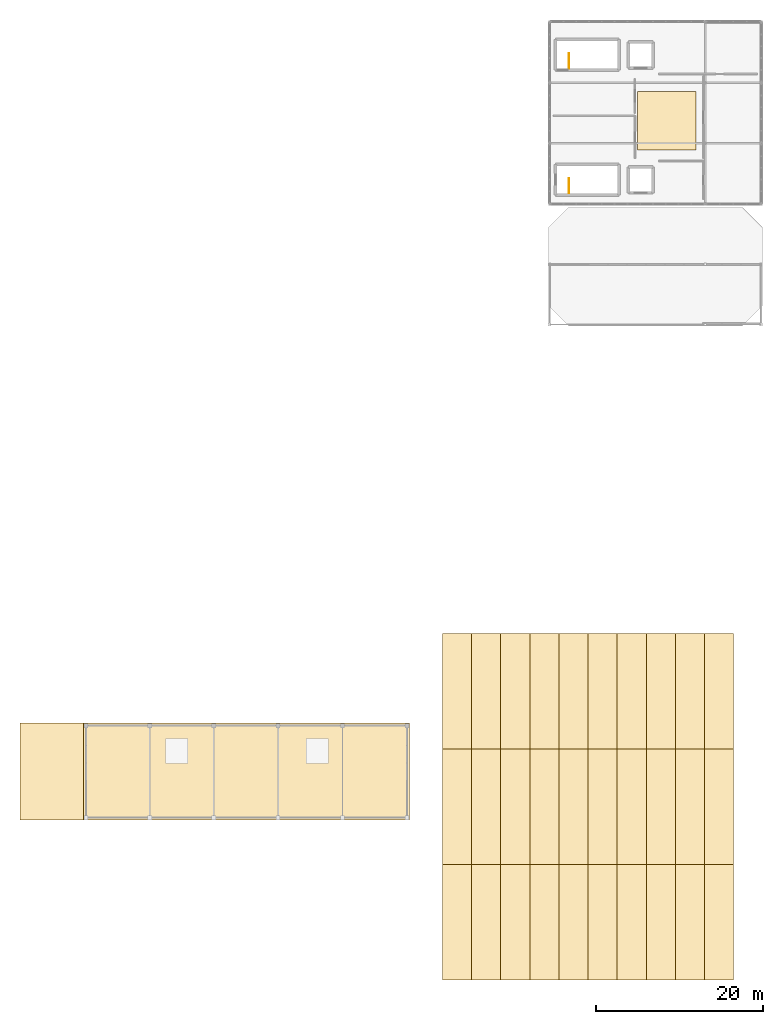
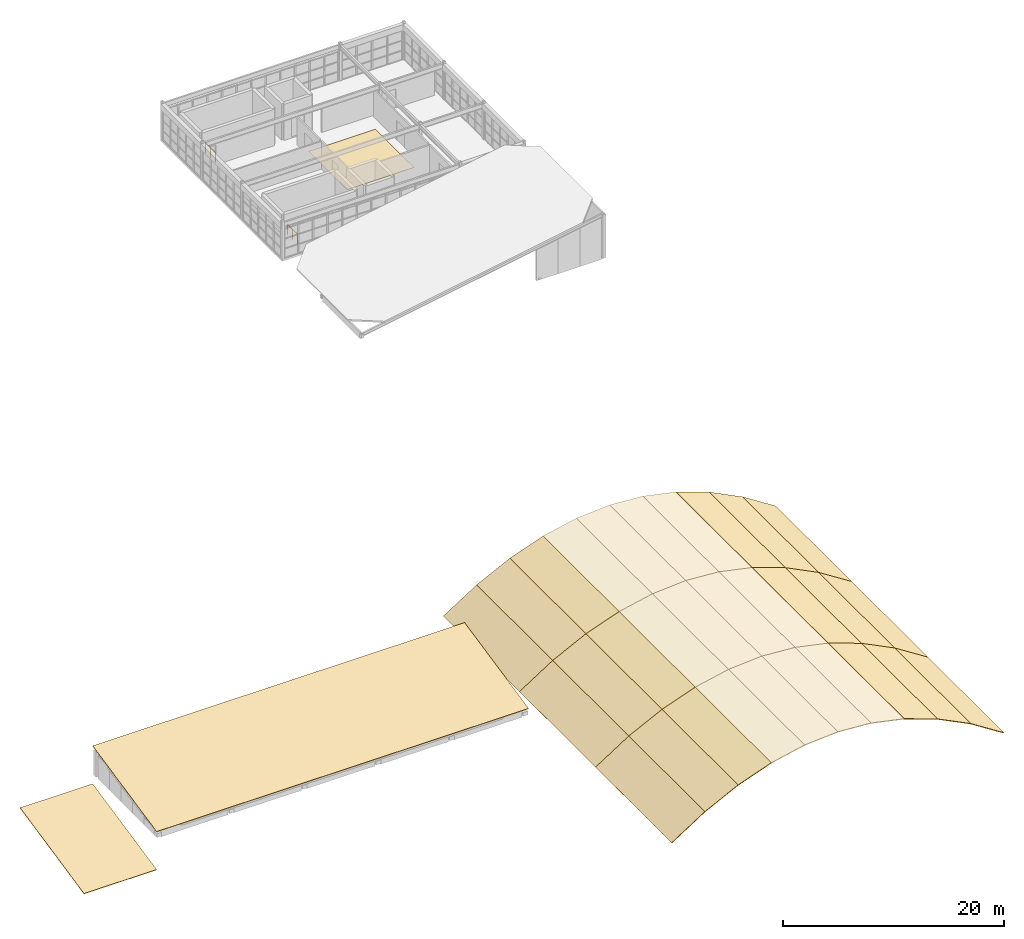
# One storey, part 19 of 19: 33 coverings, 2 railings, 2 elements without a shape of their own.
"""IFC4 building model written with IfcOpenShell, lengths in metres."""

import ifcopenshell
import ifcopenshell.guid

model = None  # the IFC model being written
_history = None  # IfcOwnerHistory: only IFC2X3 demands one
_inside = {}  # id of a spatial element -> (the spatial element, [elements in it])
_under = {}  # id of a project, library or spatial element -> (it, [spatial elements below it])
_declared = {}  # id of a project -> (the project, [libraries it declares])
_typed = {}  # id of a type object -> (the type object, [elements of that type])
_made_of = {}  # id of a material, layer set ... -> (it, [elements and type objects made of it])


def new_model(schema):
    """Start an empty IFC model of exactly this schema.

    Asked for "IFC4X3", IfcOpenShell would pick the latest addendum, in which some entities
    have other attributes; the version numbers below select the first issue.
    IFC2X3 requires an IfcOwnerHistory on every rooted entity: one is made here for all.
    """
    global model, _history
    if schema == "IFC4X3":
        model = ifcopenshell.file(schema_version=(4, 3, 0, 0))
    else:
        model = ifcopenshell.file(schema=schema)
    _inside.clear()
    _under.clear()
    _declared.clear()
    _typed.clear()
    _made_of.clear()
    _history = None
    if model.schema == "IFC2X3":
        org = make("IfcOrganization", Name="unknown")
        user = make(
            "IfcPersonAndOrganization",
            ThePerson=make("IfcPerson", FamilyName="unknown"),
            TheOrganization=org,
        )
        app = make(
            "IfcApplication",
            ApplicationDeveloper=org,
            Version="unknown",
            ApplicationFullName="unknown",
            ApplicationIdentifier="unknown",
        )
        _history = make(
            "IfcOwnerHistory",
            OwningUser=user,
            OwningApplication=app,
            ChangeAction="ADDED",
            CreationDate=0,
        )
    return model


def make(cls, **values):
    """One entity of the class cls with the attributes given. An attribute that is None is left unset."""
    return model.create_entity(
        cls, **{name: value for name, value in values.items() if value is not None}
    )


def rooted(cls, **values):
    """An entity with a GlobalId (a new one), such as an element, a storey or a relation."""
    return make(cls, GlobalId=ifcopenshell.guid.new(), OwnerHistory=_history, **values)


def si_unit(unit_type, name, prefix=None):
    """IfcSIUnit, for example si_unit("LENGTHUNIT", "METRE", prefix="MILLI")."""
    return make("IfcSIUnit", UnitType=unit_type, Prefix=prefix, Name=name)


def assignment(units):
    """IfcUnitAssignment: the units of a project."""
    return None if units is None else make("IfcUnitAssignment", Units=units)


def point(xyz):
    """IfcCartesianPoint."""
    return None if xyz is None else make("IfcCartesianPoint", Coordinates=xyz)


def direction(xyz):
    """IfcDirection."""
    return None if xyz is None else make("IfcDirection", DirectionRatios=xyz)


def frame(location, z_axis=None, x_axis=None):
    """IfcAxis2Placement3D, a coordinate frame: its origin and axes. An axis left out is left unset."""
    return make(
        "IfcAxis2Placement3D",
        Location=point(location),
        Axis=direction(z_axis),
        RefDirection=direction(x_axis),
    )


def frame_2d(location, x_axis=None):
    """IfcAxis2Placement2D, a coordinate frame in the plane: its origin and x axis."""
    return make(
        "IfcAxis2Placement2D", Location=point(location), RefDirection=direction(x_axis)
    )


def origin():
    """The frame at (0, 0, 0) with its axes left unset."""
    return frame((0.0, 0.0, 0.0))


def origin_2d():
    """The frame at (0, 0) in the plane with its x axis left unset."""
    return frame_2d((0.0, 0.0))


def place(relative_to, where):
    """IfcLocalPlacement: puts the frame where relative to a parent placement (None: the world)."""
    return make(
        "IfcLocalPlacement", PlacementRelTo=relative_to, RelativePlacement=where
    )


def context(
    kind, dimensions, precision=None, world=None, true_north=None, identifier=None
):
    """IfcGeometricRepresentationContext, for example the 3D "Model" context."""
    return make(
        "IfcGeometricRepresentationContext",
        ContextIdentifier=identifier,
        ContextType=kind,
        CoordinateSpaceDimension=dimensions,
        Precision=precision,
        WorldCoordinateSystem=world,
        TrueNorth=true_north,
    )


def subcontext(parent, identifier, kind, view, scale=None):
    """IfcGeometricRepresentationSubContext, for example "Body" below "Model"."""
    return make(
        "IfcGeometricRepresentationSubContext",
        ContextIdentifier=identifier,
        ContextType=kind,
        ParentContext=parent,
        TargetScale=scale,
        TargetView=view,
    )


def project(units=None, contexts=None):
    """IfcProject with its units and contexts."""
    return rooted(
        "IfcProject",
        Name="project",
        RepresentationContexts=contexts,
        UnitsInContext=assignment(units),
    )


def spatial(cls, under=None, at=None, **own):
    """A site, building, storey or space (cls), placed at a placement, below another one or the project."""
    s = rooted(cls, ObjectPlacement=at, **own)
    if under is not None:
        _under.setdefault(under.id(), (under, []))[1].append(s)
    return s


def polyline(points):
    """IfcPolyline through the points."""
    return make("IfcPolyline", Points=[point(p) for p in points])


def profile(cls, at=None, kind="AREA", **sizes):
    """A parametric profile (cls). Its sizes go by their IFC names, for example OverallWidth=200.0."""
    return make(cls, ProfileType=kind, Position=at, **sizes)


def rectangle(**sizes):
    """IfcRectangleProfileDef."""
    return profile("IfcRectangleProfileDef", **sizes)


def circle(**sizes):
    """IfcCircleProfileDef."""
    return profile("IfcCircleProfileDef", **sizes)


def outline(outer, holes=None, kind="AREA"):
    """IfcArbitraryClosedProfileDef: a profile drawn as a closed curve; with holes, ...WithVoids."""
    if holes is None:
        return make("IfcArbitraryClosedProfileDef", ProfileType=kind, OuterCurve=outer)
    return make(
        "IfcArbitraryProfileDefWithVoids",
        ProfileType=kind,
        OuterCurve=outer,
        InnerCurves=holes,
    )


def extrude(swept, where, along, depth):
    """IfcExtrudedAreaSolid: the profile swept, set in the frame where, extruded along a direction by depth."""
    return make(
        "IfcExtrudedAreaSolid",
        SweptArea=swept,
        Position=where,
        ExtrudedDirection=direction(along),
        Depth=depth,
    )


def shape(context_of_items, identifier, shape_type, items):
    """IfcShapeRepresentation: the items that make up one representation, for example the "Body"."""
    return make(
        "IfcShapeRepresentation",
        ContextOfItems=context_of_items,
        RepresentationIdentifier=identifier,
        RepresentationType=shape_type,
        Items=items,
    )


def material(Name=None, Category=None):
    """IfcMaterial."""
    return make("IfcMaterial", Name=Name, Category=Category)


def layer(
    of_material, thickness, ventilated=None, Name=None, Category=None, Priority=None
):
    """IfcMaterialLayer: one layer of a wall or slab, of a material (None: an air gap)."""
    return make(
        "IfcMaterialLayer",
        Material=of_material,
        LayerThickness=thickness,
        IsVentilated=ventilated,
        Name=Name,
        Category=Category,
        Priority=Priority,
    )


def layer_set(layers, Name=None):
    """IfcMaterialLayerSet."""
    return make("IfcMaterialLayerSet", MaterialLayers=layers, LayerSetName=Name)


def made_of(thing, what):
    """Note that an element or type object is made of a material, layer set ...; save() writes the relation."""
    if what is not None:
        _made_of.setdefault(what.id(), (what, []))[1].append(thing)
    return thing


def type_object(cls, material=None, **own):
    """A type object (cls), such as IfcWallType, which elements share."""
    return made_of(rooted(cls, **own), material)


def element(
    cls,
    number,
    at=None,
    inside=None,
    cuts=None,
    type_object=None,
    material=None,
    context=None,
    identifier="Body",
    shape_type=None,
    held_by="IfcProductDefinitionShape",
    body=None,
    shapes=None,
    **own,
):
    """One element of the class cls, such as IfcWall. Its Tag is "e" and its number.

    at: its placement. inside: the storey or other place that contains it. cuts: it is an
    opening in that element (IfcRelVoidsElement). A single representation is given by context,
    identifier, shape_type and body (its items); several are given by shapes. held_by: the class
    of the entity that holds the representations. save() writes the other relations.
    """
    e = rooted(cls, Tag="e%d" % number, ObjectPlacement=at, **own)
    if body is not None:
        shapes = [shape(context, identifier, shape_type, body)]
    if shapes is not None:
        e.Representation = make(held_by, Representations=shapes)
    if inside is not None:
        _inside.setdefault(inside.id(), (inside, []))[1].append(e)
    if cuts is not None:
        rooted(
            "IfcRelVoidsElement", RelatingBuildingElement=cuts, RelatedOpeningElement=e
        )
    if type_object is not None:
        _typed.setdefault(type_object.id(), (type_object, []))[1].append(e)
    return made_of(e, material)


def aggregate(whole, parts):
    """IfcRelAggregates: a whole, such as a stair, and the parts it consists of."""
    return rooted("IfcRelAggregates", RelatingObject=whole, RelatedObjects=parts)


def save(model, path):
    """Write the relations noted so far, then the file.

    IfcRelAggregates (storeys below a building ...), IfcRelContainedInSpatialStructure (elements
    in a storey), IfcRelDefinesByType, IfcRelAssociatesMaterial and IfcRelDeclares: one each for
    every whole, place, type object, material and project.
    """
    for whole, parts in _under.values():
        aggregate(whole, parts)
    for where, things in _inside.values():
        rooted(
            "IfcRelContainedInSpatialStructure",
            RelatedElements=things,
            RelatingStructure=where,
        )
    for kind, things in _typed.values():
        rooted("IfcRelDefinesByType", RelatedObjects=things, RelatingType=kind)
    for what, things in _made_of.values():
        rooted("IfcRelAssociatesMaterial", RelatedObjects=things, RelatingMaterial=what)
    for by, libraries in _declared.values():
        rooted("IfcRelDeclares", RelatingContext=by, RelatedDefinitions=libraries)
    model.write(path)


model = new_model("IFC4")

# Units and contexts
model_context = context("Model", 3, precision=1e-05, world=origin(), true_north=direction((0.0, 1.0)))
body_context = subcontext(model_context, "Body", "Model", "MODEL_VIEW")
ifc_project = project(units=[si_unit("LENGTHUNIT", "METRE"), si_unit("AREAUNIT", "SQUARE_METRE"), si_unit("VOLUMEUNIT", "CUBIC_METRE"), si_unit("PLANEANGLEUNIT", "RADIAN"), si_unit("MASSUNIT", "GRAM", prefix="KILO")], contexts=[model_context])

# Site, building, storey
site_placement = place(None, origin())
site = spatial("IfcSite", under=ifc_project, at=site_placement, CompositionType="ELEMENT")
building_placement = place(site_placement, origin())
building = spatial("IfcBuilding", under=site, at=building_placement, Name="Candilejo Ridge Gondola Terminal", CompositionType="ELEMENT")
storey_placement = place(building_placement, frame((0.0, 0.0, 22.800048828125)))
storey = spatial("IfcBuildingStorey", under=building, at=storey_placement, Name="L05", CompositionType="ELEMENT", Elevation=22.800048828125)

# Covering
ifc_material_1 = material(Name="Flamed Andean grey granite tactile paving 30 mm", Category="masonry")
ifc_layer_1 = layer(ifc_material_1, 0.030029296875)
ifc_layer_set_1 = layer_set([ifc_layer_1], Name="ARC-COV-FLOORING-GRANITE")
covering_type_1 = type_object("IfcCoveringType", Name="ARC-COV-FLOORING-GRANITE", PredefinedType="FLOORING", material=ifc_layer_set_1)
covering_1_placement = place(storey_placement, frame((164.0, 109.0, 0.0), z_axis=(0.0, 0.0, 1.0), x_axis=(1.0, 0.0, 0.0)))
element("IfcCovering", 1, at=covering_1_placement, inside=storey, type_object=covering_type_1, Name="Tactile granite flooring FLR-V5-BELV", PredefinedType="FLOORING", context=body_context, shape_type="SweptSolid", body=[
    extrude(rectangle(XDim=7.0, YDim=7.0, at=origin_2d()), origin(), (0.0, 0.0, 1.0), 0.030029296875),
])

# Roof, coverings
ifc_material_2 = material(Name="Standing-seam Al-Mg-Mn alloy roofing EN AW-3004 1.0 mm", Category="aluminum")
roof_type_1 = type_object("IfcRoofType", Name="ARC-ROOF-BARREL", PredefinedType="BARREL_ROOF", material=ifc_material_2)
roof_1_placement = place(storey_placement, origin())
roof_1 = element("IfcRoof", 2, at=roof_1_placement, inside=storey, type_object=roof_type_1, Name="Volume V4 cylindrical barrel standing-seam roof", PredefinedType="BARREL_ROOF")
ifc_material_3 = material(Name="Standing-seam Al-Mg-Mn alloy roofing EN AW-3004 1.0 mm", Category="aluminum")
ifc_layer_2 = layer(ifc_material_3, 0.06494140625)
ifc_layer_set_2 = layer_set([ifc_layer_2], Name="ARC-COV-KALZIP")
covering_type_2 = type_object("IfcCoveringType", Name="ARC-COV-KALZIP", PredefinedType="ROOFING", material=ifc_layer_set_2)
covering_2_placement = place(storey_placement, frame((137.199951171875, 6.300048828125, -3.9599609375), z_axis=(-0.539867861047, 0.0, 0.841749780284), x_axis=(0.841749780284, 0.0, 0.539867861047)))
covering_2 = element("IfcCovering", 3, at=covering_2_placement, type_object=covering_type_2, Name="Kalzip standing-seam barrel panel 01", PredefinedType="ROOFING", context=body_context, shape_type="SweptSolid", body=[
    extrude(outline(polyline([(0.0, 0.0), (4.134222010220455, 0.0), (4.134222010220455, 13.800048828125), (0.0, 13.800048828125), (0.0, 0.0)])), origin(), (0.0, 0.0, -1.0), 0.06494140625),
])
covering_3_placement = place(storey_placement, frame((140.679931640625, 6.300048828125, -1.72802734375), z_axis=(-0.446409864711, 0.0, 0.894828605202), x_axis=(0.894828605202, 0.0, 0.446409864711)))
covering_3 = element("IfcCovering", 4, at=covering_3_placement, type_object=covering_type_2, Name="Kalzip standing-seam barrel panel 02", PredefinedType="ROOFING", context=body_context, shape_type="SweptSolid", body=[
    extrude(outline(polyline([(0.0, 0.0), (3.8889910855753893, 0.0), (3.8889910855753893, 13.800048828124998), (0.0, 13.800048828124998), (0.0, 0.0)])), origin(), (0.0, 0.0, -1.0), 0.06494140625),
])
covering_4_placement = place(storey_placement, frame((144.159912109375, 6.300048828125, 0.008056640625), z_axis=(-0.335649733061, 0.0, 0.94198686652), x_axis=(0.94198686652, 0.0, 0.335649733061)))
covering_4 = element("IfcCovering", 5, at=covering_4_placement, type_object=covering_type_2, Name="Kalzip standing-seam barrel panel 03", PredefinedType="ROOFING", context=body_context, shape_type="SweptSolid", body=[
    extrude(outline(polyline([(0.0, 0.0), (3.694298288474665, 0.0), (3.694298288474665, 13.800048828125), (0.0, 13.800048828125), (0.0, 0.0)])), origin(), (0.0, 0.0, -1.0), 0.06494140625),
])
covering_5_placement = place(storey_placement, frame((147.639892578125, 6.300048828125, 1.248046875), z_axis=(-0.209027770681, 0.0, 0.977909704975), x_axis=(0.977909704975, 0.0, 0.209027770681)))
covering_5 = element("IfcCovering", 6, at=covering_5_placement, type_object=covering_type_2, Name="Kalzip standing-seam barrel panel 04", PredefinedType="ROOFING", context=body_context, shape_type="SweptSolid", body=[
    extrude(outline(polyline([(0.0, 0.0), (3.5588404447466955, 0.0), (3.5588404447466955, 13.800048828125), (0.0, 13.800048828125), (0.0, 0.0)])), origin(), (0.0, 0.0, -1.0), 0.06494140625),
])
covering_6_placement = place(storey_placement, frame((151.1201171875, 6.300048828125, 1.991943359375), z_axis=(-0.071097857077, 0.0, 0.997469345253), x_axis=(0.997469345253, 0.0, 0.071097857077)))
covering_6 = element("IfcCovering", 7, at=covering_6_placement, type_object=covering_type_2, Name="Kalzip standing-seam barrel panel 05", PredefinedType="ROOFING", context=body_context, shape_type="SweptSolid", body=[
    extrude(outline(polyline([(0.0, 0.0), (3.4888094409237564, 0.0), (3.4888094409237564, 13.800048828125), (0.0, 13.800048828125), (0.0, 0.0)])), origin(), (0.0, 0.0, -1.0), 0.06494140625),
])
covering_7_placement = place(storey_placement, frame((154.60009765625, 6.300048828125, 2.239990234375), z_axis=(0.071097857077, 0.0, 0.997469345253), x_axis=(0.997469345253, 0.0, -0.071097857077)))
covering_7 = element("IfcCovering", 8, at=covering_7_placement, type_object=covering_type_2, Name="Kalzip standing-seam barrel panel 06", PredefinedType="ROOFING", context=body_context, shape_type="SweptSolid", body=[
    extrude(outline(polyline([(0.0, 0.0), (3.4888094409237564, 0.0), (3.4888094409237564, 13.800048828125), (0.0, 13.800048828125), (0.0, 0.0)])), origin(), (0.0, 0.0, -1.0), 0.06494140625),
])
covering_8_placement = place(storey_placement, frame((158.080078125, 6.300048828125, 1.991943359375), z_axis=(0.209041794385, 0.0, 0.977906707309), x_axis=(0.977906707309, 0.0, -0.209041794385)))
covering_8 = element("IfcCovering", 9, at=covering_8_placement, type_object=covering_type_2, Name="Kalzip standing-seam barrel panel 07", PredefinedType="ROOFING", context=body_context, shape_type="SweptSolid", body=[
    extrude(outline(polyline([(0.0, 0.0), (3.558601697626043, 0.0), (3.558601697626043, 13.800048828125004), (0.0, 13.800048828125004), (0.0, 0.0)])), origin(), (0.0, 0.0, -1.0), 0.06494140625),
])
covering_9_placement = place(storey_placement, frame((161.56005859375, 6.300048828125, 1.248046875), z_axis=(0.335649733061, 0.0, 0.94198686652), x_axis=(0.94198686652, 0.0, -0.335649733061)))
covering_9 = element("IfcCovering", 10, at=covering_9_placement, type_object=covering_type_2, Name="Kalzip standing-seam barrel panel 08", PredefinedType="ROOFING", context=body_context, shape_type="SweptSolid", body=[
    extrude(outline(polyline([(0.0, 0.0), (3.694298288474665, 0.0), (3.694298288474665, 13.800048828125), (0.0, 13.800048828125), (0.0, 0.0)])), origin(), (0.0, 0.0, -1.0), 0.06494140625),
])
covering_10_placement = place(storey_placement, frame((165.0400390625, 6.300048828125, 0.008056640625), z_axis=(0.446409864711, 0.0, 0.894828605202), x_axis=(0.894828605202, 0.0, -0.446409864711)))
covering_10 = element("IfcCovering", 11, at=covering_10_placement, type_object=covering_type_2, Name="Kalzip standing-seam barrel panel 09", PredefinedType="ROOFING", context=body_context, shape_type="SweptSolid", body=[
    extrude(outline(polyline([(0.0, 0.0), (3.8889910855753893, 0.0), (3.8889910855753893, 13.800048828124998), (0.0, 13.800048828124998), (0.0, 0.0)])), origin(), (0.0, 0.0, -1.0), 0.06494140625),
])
covering_11_placement = place(storey_placement, frame((168.52001953125, 6.300048828125, -1.72802734375), z_axis=(0.539867861047, 0.0, 0.841749780284), x_axis=(0.841749780284, 0.0, -0.539867861047)))
covering_11 = element("IfcCovering", 12, at=covering_11_placement, type_object=covering_type_2, Name="Kalzip standing-seam barrel panel 10", PredefinedType="ROOFING", context=body_context, shape_type="SweptSolid", body=[
    extrude(outline(polyline([(0.0, 0.0), (4.134222010220455, 0.0), (4.134222010220455, 13.800048828125), (0.0, 13.800048828125), (0.0, 0.0)])), origin(), (0.0, 0.0, -1.0), 0.06494140625),
])
covering_12_placement = place(storey_placement, frame((137.199951171875, 20.10009765625, -3.9599609375), z_axis=(-0.539867861047, 0.0, 0.841749780284), x_axis=(0.841749780284, 0.0, 0.539867861047)))
covering_12 = element("IfcCovering", 13, at=covering_12_placement, type_object=covering_type_2, Name="Kalzip standing-seam barrel panel 11", PredefinedType="ROOFING", context=body_context, shape_type="SweptSolid", body=[
    extrude(outline(polyline([(0.0, 0.0), (4.134222010220455, 0.0), (4.134222010220455, 13.7998046875), (0.0, 13.7998046875), (0.0, 0.0)])), origin(), (0.0, 0.0, -1.0), 0.06494140625),
])
covering_13_placement = place(storey_placement, frame((140.679931640625, 20.10009765625, -1.72802734375), z_axis=(-0.446409864711, 0.0, 0.894828605202), x_axis=(0.894828605202, 0.0, 0.446409864711)))
covering_13 = element("IfcCovering", 14, at=covering_13_placement, type_object=covering_type_2, Name="Kalzip standing-seam barrel panel 12", PredefinedType="ROOFING", context=body_context, shape_type="SweptSolid", body=[
    extrude(outline(polyline([(0.0, 0.0), (3.8889910855753893, 0.0), (3.8889910855753893, 13.7998046875), (0.0, 13.7998046875), (0.0, 0.0)])), origin(), (0.0, 0.0, -1.0), 0.06494140625),
])
covering_14_placement = place(storey_placement, frame((144.159912109375, 20.10009765625, 0.008056640625), z_axis=(-0.335649733061, 0.0, 0.94198686652), x_axis=(0.94198686652, 0.0, 0.335649733061)))
covering_14 = element("IfcCovering", 15, at=covering_14_placement, type_object=covering_type_2, Name="Kalzip standing-seam barrel panel 13", PredefinedType="ROOFING", context=body_context, shape_type="SweptSolid", body=[
    extrude(outline(polyline([(0.0, 0.0), (3.694298288474665, 0.0), (3.694298288474665, 13.7998046875), (0.0, 13.7998046875), (0.0, 0.0)])), origin(), (0.0, 0.0, -1.0), 0.06494140625),
])
covering_15_placement = place(storey_placement, frame((147.639892578125, 20.10009765625, 1.248046875), z_axis=(-0.209027770681, 0.0, 0.977909704975), x_axis=(0.977909704975, 0.0, 0.209027770681)))
covering_15 = element("IfcCovering", 16, at=covering_15_placement, type_object=covering_type_2, Name="Kalzip standing-seam barrel panel 14", PredefinedType="ROOFING", context=body_context, shape_type="SweptSolid", body=[
    extrude(outline(polyline([(0.0, 0.0), (3.5588404447466955, 0.0), (3.5588404447466955, 13.7998046875), (0.0, 13.7998046875), (0.0, 0.0)])), origin(), (0.0, 0.0, -1.0), 0.06494140625),
])
covering_16_placement = place(storey_placement, frame((151.1201171875, 20.10009765625, 1.991943359375), z_axis=(-0.071097857077, 0.0, 0.997469345253), x_axis=(0.997469345253, 0.0, 0.071097857077)))
covering_16 = element("IfcCovering", 17, at=covering_16_placement, type_object=covering_type_2, Name="Kalzip standing-seam barrel panel 15", PredefinedType="ROOFING", context=body_context, shape_type="SweptSolid", body=[
    extrude(outline(polyline([(0.0, 0.0), (3.4888094409237564, 0.0), (3.4888094409237564, 13.7998046875), (0.0, 13.7998046875), (0.0, 0.0)])), origin(), (0.0, 0.0, -1.0), 0.06494140625),
])
covering_17_placement = place(storey_placement, frame((154.60009765625, 20.10009765625, 2.239990234375), z_axis=(0.071097857077, 0.0, 0.997469345253), x_axis=(0.997469345253, 0.0, -0.071097857077)))
covering_17 = element("IfcCovering", 18, at=covering_17_placement, type_object=covering_type_2, Name="Kalzip standing-seam barrel panel 16", PredefinedType="ROOFING", context=body_context, shape_type="SweptSolid", body=[
    extrude(outline(polyline([(0.0, 0.0), (3.4888094409237564, 0.0), (3.4888094409237564, 13.7998046875), (0.0, 13.7998046875), (0.0, 0.0)])), origin(), (0.0, 0.0, -1.0), 0.06494140625),
])
covering_18_placement = place(storey_placement, frame((158.080078125, 20.10009765625, 1.991943359375), z_axis=(0.209041794385, 0.0, 0.977906707309), x_axis=(0.977906707309, 0.0, -0.209041794385)))
covering_18 = element("IfcCovering", 19, at=covering_18_placement, type_object=covering_type_2, Name="Kalzip standing-seam barrel panel 17", PredefinedType="ROOFING", context=body_context, shape_type="SweptSolid", body=[
    extrude(outline(polyline([(0.0, 0.0), (3.558601697626043, 0.0), (3.558601697626043, 13.7998046875), (0.0, 13.7998046875), (0.0, 0.0)])), origin(), (0.0, 0.0, -1.0), 0.06494140625),
])
covering_19_placement = place(storey_placement, frame((161.56005859375, 20.10009765625, 1.248046875), z_axis=(0.335649733061, 0.0, 0.94198686652), x_axis=(0.94198686652, 0.0, -0.335649733061)))
covering_19 = element("IfcCovering", 20, at=covering_19_placement, type_object=covering_type_2, Name="Kalzip standing-seam barrel panel 18", PredefinedType="ROOFING", context=body_context, shape_type="SweptSolid", body=[
    extrude(outline(polyline([(0.0, 0.0), (3.694298288474665, 0.0), (3.694298288474665, 13.7998046875), (0.0, 13.7998046875), (0.0, 0.0)])), origin(), (0.0, 0.0, -1.0), 0.06494140625),
])
covering_20_placement = place(storey_placement, frame((165.0400390625, 20.10009765625, 0.008056640625), z_axis=(0.446409864711, 0.0, 0.894828605202), x_axis=(0.894828605202, 0.0, -0.446409864711)))
covering_20 = element("IfcCovering", 21, at=covering_20_placement, type_object=covering_type_2, Name="Kalzip standing-seam barrel panel 19", PredefinedType="ROOFING", context=body_context, shape_type="SweptSolid", body=[
    extrude(outline(polyline([(0.0, 0.0), (3.8889910855753893, 0.0), (3.8889910855753893, 13.7998046875), (0.0, 13.7998046875), (0.0, 0.0)])), origin(), (0.0, 0.0, -1.0), 0.06494140625),
])
covering_21_placement = place(storey_placement, frame((168.52001953125, 20.10009765625, -1.72802734375), z_axis=(0.539867861047, 0.0, 0.841749780284), x_axis=(0.841749780284, 0.0, -0.539867861047)))
covering_21 = element("IfcCovering", 22, at=covering_21_placement, type_object=covering_type_2, Name="Kalzip standing-seam barrel panel 20", PredefinedType="ROOFING", context=body_context, shape_type="SweptSolid", body=[
    extrude(outline(polyline([(0.0, 0.0), (4.134222010220455, 0.0), (4.134222010220455, 13.7998046875), (0.0, 13.7998046875), (0.0, 0.0)])), origin(), (0.0, 0.0, -1.0), 0.06494140625),
])
covering_22_placement = place(storey_placement, frame((137.199951171875, 33.89990234375, -3.9599609375), z_axis=(-0.539867861047, 0.0, 0.841749780284), x_axis=(0.841749780284, 0.0, 0.539867861047)))
covering_22 = element("IfcCovering", 23, at=covering_22_placement, type_object=covering_type_2, Name="Kalzip standing-seam barrel panel 21", PredefinedType="ROOFING", context=body_context, shape_type="SweptSolid", body=[
    extrude(outline(polyline([(0.0, 0.0), (4.134222010220455, 0.0), (4.134222010220455, 13.800048828125), (0.0, 13.800048828125), (0.0, 0.0)])), origin(), (0.0, 0.0, -1.0), 0.06494140625),
])
covering_23_placement = place(storey_placement, frame((140.679931640625, 33.89990234375, -1.72802734375), z_axis=(-0.446409864711, 0.0, 0.894828605202), x_axis=(0.894828605202, 0.0, 0.446409864711)))
covering_23 = element("IfcCovering", 24, at=covering_23_placement, type_object=covering_type_2, Name="Kalzip standing-seam barrel panel 22", PredefinedType="ROOFING", context=body_context, shape_type="SweptSolid", body=[
    extrude(outline(polyline([(0.0, 0.0), (3.8889910855753893, 0.0), (3.8889910855753893, 13.800048828124998), (0.0, 13.800048828124998), (0.0, 0.0)])), origin(), (0.0, 0.0, -1.0), 0.06494140625),
])
covering_24_placement = place(storey_placement, frame((144.159912109375, 33.89990234375, 0.008056640625), z_axis=(-0.335649733061, 0.0, 0.94198686652), x_axis=(0.94198686652, 0.0, 0.335649733061)))
covering_24 = element("IfcCovering", 25, at=covering_24_placement, type_object=covering_type_2, Name="Kalzip standing-seam barrel panel 23", PredefinedType="ROOFING", context=body_context, shape_type="SweptSolid", body=[
    extrude(outline(polyline([(0.0, 0.0), (3.694298288474665, 0.0), (3.694298288474665, 13.800048828125), (0.0, 13.800048828125), (0.0, 0.0)])), origin(), (0.0, 0.0, -1.0), 0.06494140625),
])
covering_25_placement = place(storey_placement, frame((147.639892578125, 33.89990234375, 1.248046875), z_axis=(-0.209027770681, 0.0, 0.977909704975), x_axis=(0.977909704975, 0.0, 0.209027770681)))
covering_25 = element("IfcCovering", 26, at=covering_25_placement, type_object=covering_type_2, Name="Kalzip standing-seam barrel panel 24", PredefinedType="ROOFING", context=body_context, shape_type="SweptSolid", body=[
    extrude(outline(polyline([(0.0, 0.0), (3.5588404447466955, 0.0), (3.5588404447466955, 13.800048828125), (0.0, 13.800048828125), (0.0, 0.0)])), origin(), (0.0, 0.0, -1.0), 0.06494140625),
])
covering_26_placement = place(storey_placement, frame((151.1201171875, 33.89990234375, 1.991943359375), z_axis=(-0.071097857077, 0.0, 0.997469345253), x_axis=(0.997469345253, 0.0, 0.071097857077)))
covering_26 = element("IfcCovering", 27, at=covering_26_placement, type_object=covering_type_2, Name="Kalzip standing-seam barrel panel 25", PredefinedType="ROOFING", context=body_context, shape_type="SweptSolid", body=[
    extrude(outline(polyline([(0.0, 0.0), (3.4888094409237564, 0.0), (3.4888094409237564, 13.800048828125), (0.0, 13.800048828125), (0.0, 0.0)])), origin(), (0.0, 0.0, -1.0), 0.06494140625),
])
covering_27_placement = place(storey_placement, frame((154.60009765625, 33.89990234375, 2.239990234375), z_axis=(0.071097857077, 0.0, 0.997469345253), x_axis=(0.997469345253, 0.0, -0.071097857077)))
covering_27 = element("IfcCovering", 28, at=covering_27_placement, type_object=covering_type_2, Name="Kalzip standing-seam barrel panel 26", PredefinedType="ROOFING", context=body_context, shape_type="SweptSolid", body=[
    extrude(outline(polyline([(0.0, 0.0), (3.4888094409237564, 0.0), (3.4888094409237564, 13.800048828125), (0.0, 13.800048828125), (0.0, 0.0)])), origin(), (0.0, 0.0, -1.0), 0.06494140625),
])
covering_28_placement = place(storey_placement, frame((158.080078125, 33.89990234375, 1.991943359375), z_axis=(0.209041794385, 0.0, 0.977906707309), x_axis=(0.977906707309, 0.0, -0.209041794385)))
covering_28 = element("IfcCovering", 29, at=covering_28_placement, type_object=covering_type_2, Name="Kalzip standing-seam barrel panel 27", PredefinedType="ROOFING", context=body_context, shape_type="SweptSolid", body=[
    extrude(outline(polyline([(0.0, 0.0), (3.558601697626043, 0.0), (3.558601697626043, 13.800048828125004), (0.0, 13.800048828125004), (0.0, 0.0)])), origin(), (0.0, 0.0, -1.0), 0.06494140625),
])
covering_29_placement = place(storey_placement, frame((161.56005859375, 33.89990234375, 1.248046875), z_axis=(0.335649733061, 0.0, 0.94198686652), x_axis=(0.94198686652, 0.0, -0.335649733061)))
covering_29 = element("IfcCovering", 30, at=covering_29_placement, type_object=covering_type_2, Name="Kalzip standing-seam barrel panel 28", PredefinedType="ROOFING", context=body_context, shape_type="SweptSolid", body=[
    extrude(outline(polyline([(0.0, 0.0), (3.694298288474665, 0.0), (3.694298288474665, 13.800048828125), (0.0, 13.800048828125), (0.0, 0.0)])), origin(), (0.0, 0.0, -1.0), 0.06494140625),
])
covering_30_placement = place(storey_placement, frame((165.0400390625, 33.89990234375, 0.008056640625), z_axis=(0.446409864711, 0.0, 0.894828605202), x_axis=(0.894828605202, 0.0, -0.446409864711)))
covering_30 = element("IfcCovering", 31, at=covering_30_placement, type_object=covering_type_2, Name="Kalzip standing-seam barrel panel 29", PredefinedType="ROOFING", context=body_context, shape_type="SweptSolid", body=[
    extrude(outline(polyline([(0.0, 0.0), (3.8889910855753893, 0.0), (3.8889910855753893, 13.800048828124998), (0.0, 13.800048828124998), (0.0, 0.0)])), origin(), (0.0, 0.0, -1.0), 0.06494140625),
])
covering_31_placement = place(storey_placement, frame((168.52001953125, 33.89990234375, -1.72802734375), z_axis=(0.539867861047, 0.0, 0.841749780284), x_axis=(0.841749780284, 0.0, -0.539867861047)))
covering_31 = element("IfcCovering", 32, at=covering_31_placement, type_object=covering_type_2, Name="Kalzip standing-seam barrel panel 30", PredefinedType="ROOFING", context=body_context, shape_type="SweptSolid", body=[
    extrude(outline(polyline([(0.0, 0.0), (4.134222010220455, 0.0), (4.134222010220455, 13.800048828125), (0.0, 13.800048828125), (0.0, 0.0)])), origin(), (0.0, 0.0, -1.0), 0.06494140625),
])
aggregate(roof_1, [covering_2, covering_3, covering_4, covering_5, covering_6, covering_7, covering_8, covering_9, covering_10, covering_11, covering_12, covering_13, covering_14, covering_15, covering_16, covering_17, covering_18, covering_19, covering_20, covering_21, covering_22, covering_23, covering_24, covering_25, covering_26, covering_27, covering_28, covering_29, covering_30, covering_31])

roof_type_2 = type_object("IfcRoofType", Name="ARC-ROOF-SHED", PredefinedType="SHED_ROOF", material=ifc_material_2)
roof_2_placement = place(storey_placement, origin())
roof_2 = element("IfcRoof", 33, at=roof_2_placement, inside=storey, type_object=roof_type_2, Name="Standing-seam shed roof ROOF-SHED-V3", PredefinedType="SHED_ROOF")
placement = place(building_placement, frame((0.0, 0.0, 18.60009765625)))
covering_32_placement = place(placement, frame((86.699951171875, 25.39990234375, 0.71484375), z_axis=(0.0, -0.207923263103, 0.978145140897), x_axis=(1.0, 0.0, 0.0)))
covering_32 = element("IfcCovering", 34, at=covering_32_placement, type_object=covering_type_2, Name="Kalzip standing-seam roof sheet RF-V3-STEP", PredefinedType="ROOFING", context=body_context, shape_type="SweptSolid", body=[
    extrude(outline(polyline([(0.0, 0.0), (7.60009765625, 0.0), (7.60009765625, 11.859280561993394), (0.0, 11.859280561993394), (0.0, 0.0)])), origin(), (0.0, 0.0, -1.0), 0.06494140625),
])
covering_33_placement = place(storey_placement, frame((94.300048828125, 25.39990234375, 0.71484375), z_axis=(0.0, -0.207923263103, 0.978145140897), x_axis=(1.0, 0.0, 0.0)))
covering_33 = element("IfcCovering", 35, at=covering_33_placement, type_object=covering_type_2, Name="Kalzip standing-seam roof sheet RF-V3-MAIN", PredefinedType="ROOFING", context=body_context, shape_type="SweptSolid", body=[
    extrude(outline(polyline([(0.0, 0.0), (38.949951171875, 0.0), (38.949951171875, 11.859280561993394), (0.0, 11.859280561993394), (0.0, 0.0)])), origin(), (0.0, 0.0, -1.0), 0.06494140625),
])
aggregate(roof_2, [covering_32, covering_33])

# Railings
ifc_material_4 = material(Name="Hot-dip galvanised steel ASTM A500 Grade B", Category="steel")
railing_type = type_object("IfcRailingType", Name="ARC-STAIR-GUARD-1100", PredefinedType="GUARDRAIL", material=ifc_material_4)
railing_1_placement = place(storey_placement, frame((152.330078125, 100.360107421875, 0.0)))
element("IfcRailing", 36, at=railing_1_placement, inside=storey, type_object=railing_type, Name="Arrival well guard ST-V5A-L04-ARR-L05", PredefinedType="GUARDRAIL", context=body_context, shape_type="SweptSolid", body=[
    extrude(circle(Radius=0.02392578125, at=origin_2d()), frame((0.0, 0.0, 1.076171875), z_axis=(0.0, 1.0, 0.0), x_axis=(-1.0, 0.0, 0.0)), (0.0, 0.0, 1.0), 1.77978515625),
    extrude(circle(Radius=0.02099609375, at=origin_2d()), origin(), (0.0, 0.0, 1.0), 1.052001953125),
    extrude(circle(Radius=0.02099609375, at=origin_2d()), frame((0.0, 0.889892578125, 0.0)), (0.0, 0.0, 1.0), 1.052001953125),
    extrude(circle(Radius=0.02099609375, at=origin_2d()), frame((0.0, 1.77978515625, 0.0)), (0.0, 0.0, 1.0), 1.052001953125),
])
railing_2_placement = place(storey_placement, frame((152.330078125, 115.260009765625, 0.0)))
element("IfcRailing", 37, at=railing_2_placement, inside=storey, type_object=railing_type, Name="Arrival well guard ST-V5B-L04-ARR-L05", PredefinedType="GUARDRAIL", context=body_context, shape_type="SweptSolid", body=[
    extrude(circle(Radius=0.02392578125, at=origin_2d()), frame((0.0, 0.0, 1.076171875), z_axis=(0.0, 1.0, 0.0), x_axis=(-1.0, 0.0, 0.0)), (0.0, 0.0, 1.0), 1.780029296875),
    extrude(circle(Radius=0.02099609375, at=origin_2d()), origin(), (0.0, 0.0, 1.0), 1.052001953125),
    extrude(circle(Radius=0.02099609375, at=origin_2d()), frame((0.0, 0.89013671875, 0.0)), (0.0, 0.0, 1.0), 1.052001953125),
    extrude(circle(Radius=0.02099609375, at=origin_2d()), frame((0.0, 1.780029296875, 0.0)), (0.0, 0.0, 1.0), 1.052001953125),
])

save(model, "model.ifc")
